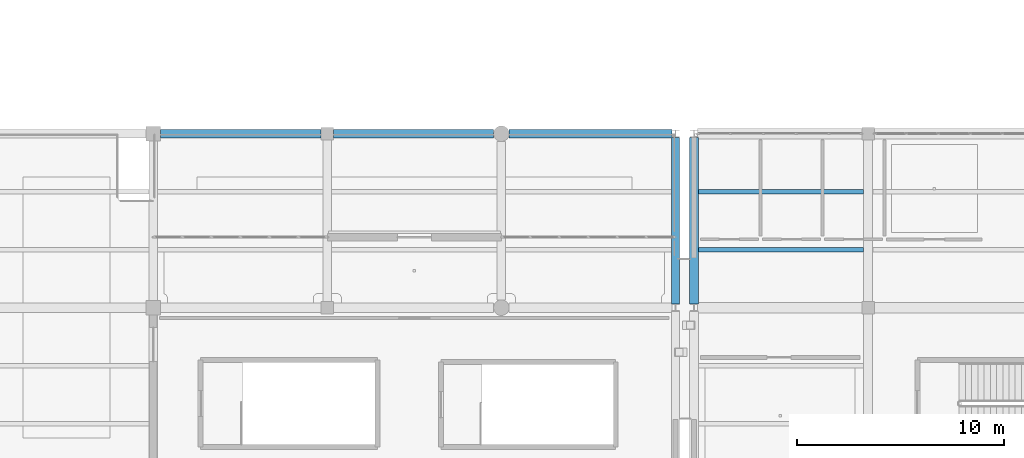
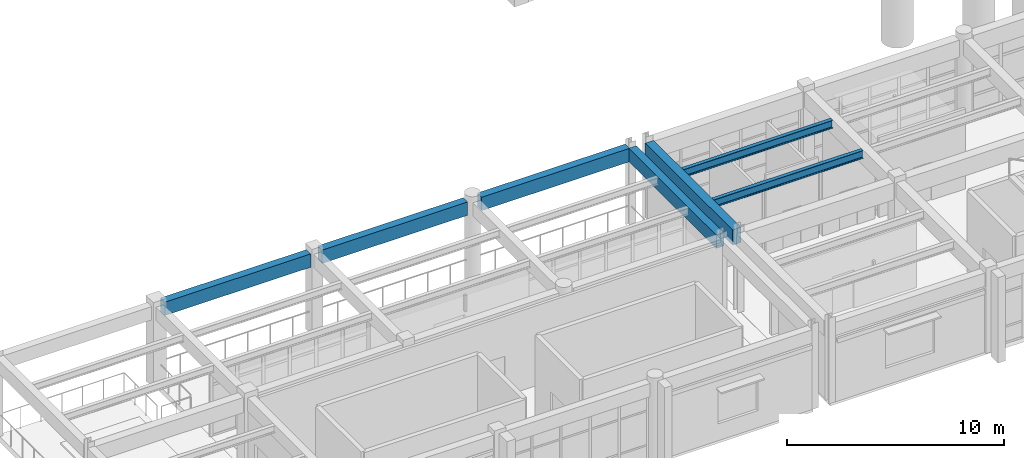
# One storey, part 15 of 139: 7 beams.
"""IFC4 building model written with IfcOpenShell, lengths in metres."""

from ifc_helpers import new_model, si_unit, direction, frame, origin, origin_2d, place, context, subcontext, project, spatial, rectangle, i_section, extrude, material, material_profile, profile_set, type_object, element, save


model = new_model("IFC4")

# Units and contexts
model_context = context("Model", 3, precision=1e-05, world=origin(), true_north=direction((0.0, 1.0)))
body_context = subcontext(model_context, "Body", "Model", "MODEL_VIEW")
ifc_project = project(units=[si_unit("LENGTHUNIT", "METRE"), si_unit("AREAUNIT", "SQUARE_METRE"), si_unit("VOLUMEUNIT", "CUBIC_METRE"), si_unit("PLANEANGLEUNIT", "RADIAN"), si_unit("MASSUNIT", "GRAM", prefix="KILO")], contexts=[model_context])

# Site, building, storey
site_placement = place(None, origin())
site = spatial("IfcSite", under=ifc_project, at=site_placement, CompositionType="ELEMENT")
building_placement = place(site_placement, origin())
building = spatial("IfcBuilding", under=site, at=building_placement, Name="Canglan Escarpment Cableway Terminal", CompositionType="ELEMENT")
storey_placement = place(building_placement, frame((0.0, 0.0, 14.39990234375)))
storey = spatial("IfcBuildingStorey", under=building, at=storey_placement, Name="L03", CompositionType="ELEMENT", Elevation=14.39990234375)

# Beams
ifc_material_1 = material(Name="Concrete C40", Category="concrete")
ifc_material_profile_1 = material_profile(ifc_material_1, rectangle(XDim=0.39990234375, YDim=0.75, at=origin_2d()), Name="RC 400x750")
ifc_profile_set_1 = profile_set([ifc_material_profile_1], Name="Concrete C40")
beam_type_1 = type_object("IfcBeamType", Name="BM-RC400x750", PredefinedType="BEAM", material=ifc_profile_set_1)
beam_1_placement = place(storey_placement, frame((110.60009765625, 16.574951171875, 4.125), z_axis=(0.0, 1.0, 0.0), x_axis=(-1.0, 0.0, 0.0)))
element("IfcBeam", 1, at=beam_1_placement, inside=storey, type_object=beam_type_1, Name="Primary transverse girder B-03", PredefinedType="BEAM", context=body_context, shape_type="SweptSolid", body=[
    extrude(rectangle(XDim=0.39990234375, YDim=0.75, at=origin_2d()), origin(), (0.0, 0.0, 1.0), 8.050048828125),
])
ifc_material_profile_2 = material_profile(ifc_material_1, rectangle(XDim=0.449951171875, YDim=0.85009765625, at=origin_2d()), Name="RC 450x850")
ifc_profile_set_2 = profile_set([ifc_material_profile_2], Name="Concrete C40")
beam_type_2 = type_object("IfcBeamType", Name="BM-RC450x850", PredefinedType="BEAM", material=ifc_profile_set_2)
beam_2_placement = place(storey_placement, frame((111.5, 16.574951171875, 4.05517578125), z_axis=(0.0, 1.0, 0.0), x_axis=(-1.0, 0.0, 0.0)))
element("IfcBeam", 2, at=beam_2_placement, inside=storey, type_object=beam_type_2, Name="Primary transverse girder B-02", PredefinedType="BEAM", context=body_context, shape_type="SweptSolid", body=[
    extrude(rectangle(XDim=0.449951171875, YDim=0.85009765625, at=origin_2d()), origin(), (0.0, 0.0, 1.0), 8.050048828125),
])
ifc_material_2 = material(Name="Steel Q355B", Category="steel")
ifc_material_profile_3 = material_profile(ifc_material_2, i_section(OverallWidth=0.199951171875, OverallDepth=0.449951171875, WebThickness=0.009033203125, FlangeThickness=0.013916015625, FilletRadius=0.01806640625, at=origin_2d()), Name="HN 450x200x9x14")
ifc_profile_set_3 = profile_set([ifc_material_profile_3], Name="Steel Q355B")
beam_type_3 = type_object("IfcBeamType", Name="JS-HN450", PredefinedType="JOIST", material=ifc_profile_set_3)
for number, where, z_axis, x_axis, name in (
    (3, (111.72509765625, 19.199951171875, 4.255126953125), (1.0, 0.0, 0.0), (0.0, 1.0, 0.0), "Secondary composite deck joist J-02"),
    (4, (111.72509765625, 22.0, 4.255126953125), (1.0, 0.0, 0.0), (0.0, 1.0, 0.0), "Secondary composite deck joist J-02"),
):
    element("IfcBeam", number, at=place(storey_placement, frame(where, z_axis=z_axis, x_axis=x_axis)), inside=storey, type_object=beam_type_3, Name=name, PredefinedType="JOIST", context=body_context, shape_type="SweptSolid", body=[
        extrude(i_section(OverallWidth=0.199951171875, OverallDepth=0.449951171875, WebThickness=0.009033203125, FlangeThickness=0.013916015625, FilletRadius=0.01806640625, at=origin_2d()), origin(), (0.0, 0.0, 1.0), 7.949951171875),
    ])
ifc_material_profile_4 = material_profile(ifc_material_1, rectangle(XDim=0.39990234375, YDim=0.75, at=origin_2d()), Name="RC 400x750")
ifc_profile_set_4 = profile_set([ifc_material_profile_4], Name="Concrete C40")
beam_type_4 = type_object("IfcBeamType", Name="SP-RC400x750", PredefinedType="SPANDREL", material=ifc_profile_set_4)
beam_3_placement = place(storey_placement, frame((85.75, 24.800048828125, 4.125), z_axis=(1.0, 0.0, 0.0), x_axis=(0.0, 1.0, 0.0)))
element("IfcBeam", 5, at=beam_3_placement, inside=storey, type_object=beam_type_4, Name="Primary structural girder SP-01", PredefinedType="SPANDREL", context=body_context, shape_type="SweptSolid", body=[
    extrude(rectangle(XDim=0.39990234375, YDim=0.75, at=origin_2d()), origin(), (0.0, 0.0, 1.0), 7.75),
])
beam_4_placement = place(storey_placement, frame((94.10009765625, 24.800048828125, 4.125), z_axis=(1.0, 0.0, 0.0), x_axis=(0.0, 1.0, 0.0)))
element("IfcBeam", 6, at=beam_4_placement, inside=storey, type_object=beam_type_4, Name="Primary structural girder SP-01", PredefinedType="SPANDREL", context=body_context, shape_type="SweptSolid", body=[
    extrude(rectangle(XDim=0.39990234375, YDim=0.75, at=origin_2d()), origin(), (0.0, 0.0, 1.0), 7.724853515625),
])
beam_5_placement = place(storey_placement, frame((102.574951171875, 24.800048828125, 4.125), z_axis=(1.0, 0.0, 0.0), x_axis=(0.0, 1.0, 0.0)))
element("IfcBeam", 7, at=beam_5_placement, inside=storey, type_object=beam_type_4, Name="Primary structural girder SP-01", PredefinedType="SPANDREL", context=body_context, shape_type="SweptSolid", body=[
    extrude(rectangle(XDim=0.39990234375, YDim=0.75, at=origin_2d()), origin(), (0.0, 0.0, 1.0), 7.85009765625),
])

save(model, "model.ifc")
